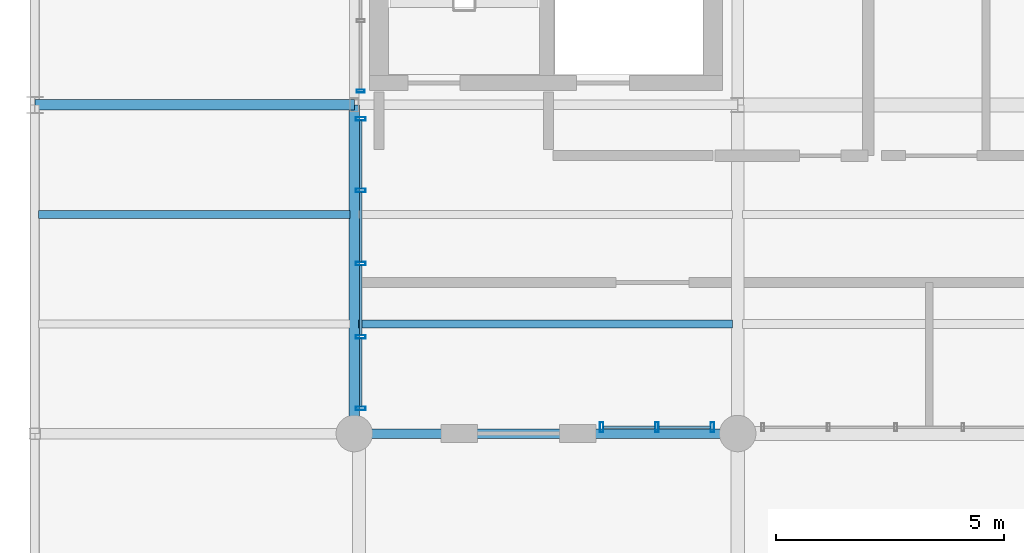
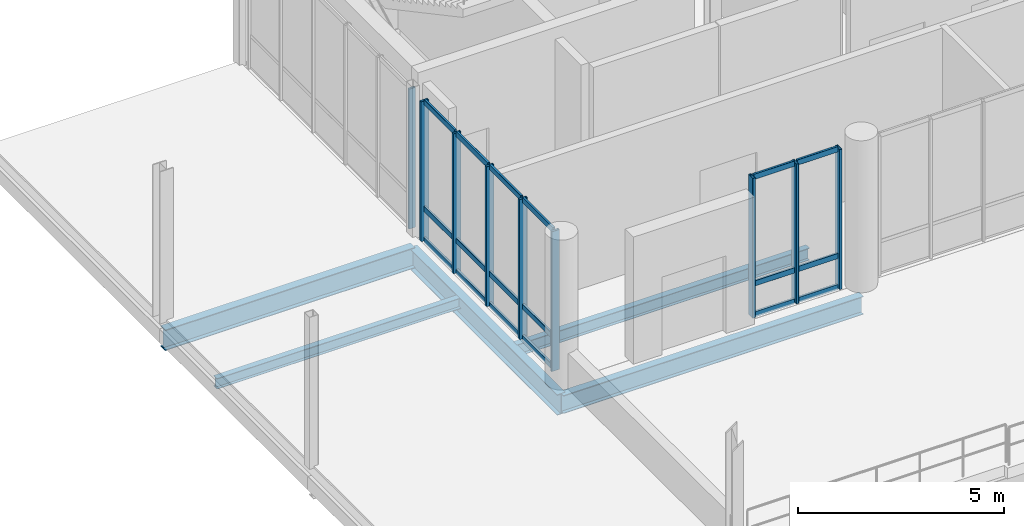
# One storey, part 8 of 68: 27 members, 5 beams, 3 elements without a shape of their own.
"""IFC4 building model written with IfcOpenShell, lengths in metres."""

from ifc_helpers import new_model, si_unit, direction, frame, origin_with_axes, origin_2d_with_axis, place, context, subcontext, project, spatial, hollow_rectangle, i_section, extrude, material, material_profile, profile_set, type_object, element, aggregate, save


model = new_model("IFC4")

# Units and contexts
model_context = context("Model", 3, precision=1e-05, world=origin_with_axes(), true_north=direction((0.0, 1.0)))
body_context = subcontext(model_context, "Body", "Model", "MODEL_VIEW")
ifc_project = project(units=[si_unit("LENGTHUNIT", "METRE"), si_unit("AREAUNIT", "SQUARE_METRE"), si_unit("VOLUMEUNIT", "CUBIC_METRE"), si_unit("PLANEANGLEUNIT", "RADIAN"), si_unit("MASSUNIT", "GRAM", prefix="KILO"), si_unit("THERMODYNAMICTEMPERATUREUNIT", "KELVIN")], contexts=[model_context])

# Site, building, storey
site_placement = place(None, origin_with_axes())
site = spatial("IfcSite", under=ifc_project, at=site_placement, CompositionType="ELEMENT")
building_placement = place(site_placement, origin_with_axes())
building = spatial("IfcBuilding", under=site, at=building_placement, Name="Montbau Bow Law Courts", CompositionType="ELEMENT")
storey_placement = place(building_placement, frame((0.0, 0.0, 20.4), z_axis=(0.0, 0.0, 1.0), x_axis=(1.0, 0.0, 0.0)))
storey = spatial("IfcBuildingStorey", under=building, at=storey_placement, Name="L04", CompositionType="ELEMENT", Elevation=20.4)

# Beams
ifc_material_1 = material(Name="Steel CSA G40.21 Grade 350W (350 MPa)", Category="steel")
ifc_material_profile_1 = material_profile(ifc_material_1, i_section(OverallWidth=0.229, OverallDepth=0.612, WebThickness=0.0119, FlangeThickness=0.0196, at=origin_2d_with_axis()), Name="W610X125", Category="Main", Priority=0)
ifc_profile_set_1 = profile_set([ifc_material_profile_1], Name="Steel CSA G40.21 Grade 350W (350 MPa)")
beam_type_1 = type_object("IfcBeamType", Name="B-FLR-05", PredefinedType="BEAM", material=ifc_profile_set_1)
beam_1_placement = place(None, frame((6.8, 46.2, 19.804), z_axis=(1.0, 0.0, 0.0), x_axis=(0.0, 1.0, 0.0)))
element("IfcBeam", 1, at=beam_1_placement, inside=storey, type_object=beam_type_1, Name="BM-L04-S0627:bm2_0630", PredefinedType="BEAM", context=body_context, shape_type="SweptSolid", body=[
    extrude(i_section(OverallWidth=0.229, OverallDepth=0.612, WebThickness=0.0119, FlangeThickness=0.0196, at=origin_2d_with_axis()), origin_with_axes(), (0.0, 0.0, 1.0), 7.0),
])
beam_2_placement = place(None, frame((13.8, 39.0, 19.774), z_axis=(0.0, 1.0, 0.0), x_axis=(-1.0, 0.0, 0.0)))
element("IfcBeam", 2, at=beam_2_placement, inside=storey, type_object=beam_type_1, Name="BM-L04-S0640:bm2_0643", PredefinedType="BEAM", context=body_context, shape_type="SweptSolid", body=[
    extrude(i_section(OverallWidth=0.229, OverallDepth=0.612, WebThickness=0.0119, FlangeThickness=0.0196, at=origin_2d_with_axis()), origin_with_axes(), (0.0, 0.0, 1.0), 7.2),
])
ifc_material_profile_2 = material_profile(ifc_material_1, i_section(OverallWidth=0.21, OverallDepth=0.537, WebThickness=0.0109, FlangeThickness=0.0174, at=origin_2d_with_axis()), Name="W530X101", Category="Main", Priority=0)
ifc_profile_set_2 = profile_set([ifc_material_profile_2], Name="Steel CSA G40.21 Grade 350W (350 MPa)")
beam_type_2 = type_object("IfcBeamType", Name="B-FLR-06", PredefinedType="BEAM", material=ifc_profile_set_2)
beam_3_placement = place(None, frame((13.8, 39.0, 19.811), z_axis=(1.0, 0.0, 0.0), x_axis=(0.0, 1.0, 0.0)))
element("IfcBeam", 3, at=beam_3_placement, inside=storey, type_object=beam_type_2, Name="BM-L04-S0623:bm2_0626", PredefinedType="BEAM", context=body_context, shape_type="SweptSolid", body=[
    extrude(i_section(OverallWidth=0.21, OverallDepth=0.537, WebThickness=0.0109, FlangeThickness=0.0174, at=origin_2d_with_axis()), origin_with_axes(), (0.0, 0.0, 1.0), 8.4),
])
ifc_material_profile_3 = material_profile(ifc_material_1, i_section(OverallWidth=0.172, OverallDepth=0.358, WebThickness=0.0079, FlangeThickness=0.0131, at=origin_2d_with_axis()), Name="W360X57", Category="Main", Priority=0)
ifc_profile_set_3 = profile_set([ifc_material_profile_3], Name="Steel CSA G40.21 Grade 350W (350 MPa)")
beam_type_3 = type_object("IfcBeamType", Name="B-JST-03", PredefinedType="JOIST", material=ifc_profile_set_3)
beam_4_placement = place(None, frame((13.891, 41.4, 19.901), z_axis=(1.0, 0.0, 0.0), x_axis=(0.0, 1.0, 0.0)))
element("IfcBeam", 4, at=beam_4_placement, inside=storey, type_object=beam_type_3, Name="JST-L04-S0306:jst2_0306", PredefinedType="JOIST", context=body_context, shape_type="SweptSolid", body=[
    extrude(i_section(OverallWidth=0.172, OverallDepth=0.358, WebThickness=0.0079, FlangeThickness=0.0131, at=origin_2d_with_axis()), origin_with_axes(), (0.0, 0.0, 1.0), 8.199),
])
ifc_material_profile_4 = material_profile(ifc_material_1, i_section(OverallWidth=0.166, OverallDepth=0.313, WebThickness=0.0066, FlangeThickness=0.0112, at=origin_2d_with_axis()), Name="W310X45", Category="Main", Priority=0)
ifc_profile_set_4 = profile_set([ifc_material_profile_4], Name="Steel CSA G40.21 Grade 350W (350 MPa)")
beam_type_4 = type_object("IfcBeamType", Name="B-JST-04", PredefinedType="JOIST", material=ifc_profile_set_4)
beam_5_placement = place(None, frame((6.88, 43.8, 19.923), z_axis=(1.0, 0.0, 0.0), x_axis=(0.0, 1.0, 0.0)))
element("IfcBeam", 5, at=beam_5_placement, inside=storey, type_object=beam_type_4, Name="JST-L04-S0303:jst2_0303", PredefinedType="JOIST", context=body_context, shape_type="SweptSolid", body=[
    extrude(i_section(OverallWidth=0.166, OverallDepth=0.313, WebThickness=0.0066, FlangeThickness=0.0112, at=origin_2d_with_axis()), origin_with_axes(), (0.0, 0.0, 1.0), 6.83),
])

# Curtain wall, members
ifc_material_2 = material(Name="Thermally Broken Extruded Aluminium AA 6063-T6", Category="aluminium")
curtain_wall_type = type_object("IfcCurtainWallType", Name="CW-NCK-01", PredefinedType="NOTDEFINED", material=ifc_material_2)
curtain_wall_1_placement = place(None, frame((19.18, 39.14, 20.4), z_axis=(0.0, 0.0, 1.0), x_axis=(1.0, 0.0, 0.0)))
curtain_wall_1 = element("IfcCurtainWall", 6, at=curtain_wall_1_placement, inside=storey, type_object=curtain_wall_type, Name="CW-L04-066:cw_0066", PredefinedType="NOTDEFINED")
ifc_material_profile_5 = material_profile(ifc_material_2, hollow_rectangle(XDim=0.075, YDim=0.22, WallThickness=0.005, InnerFilletRadius=0.01, OuterFilletRadius=0.005, at=origin_2d_with_axis()), Name="CWM-220X75", Category="Main", Priority=0)
ifc_profile_set_5 = profile_set([ifc_material_profile_5], Name="Thermally Broken Extruded Aluminium AA 6063-T6")
member_type_1 = type_object("IfcMemberType", Name="M-MUL-01", PredefinedType="MULLION", material=ifc_profile_set_5)
member_1_placement = place(None, frame((19.217, 39.14, 20.4), z_axis=(0.0, 0.0, 1.0), x_axis=(1.0, 0.0, 0.0)))
member_1 = element("IfcMember", 7, at=member_1_placement, type_object=member_type_1, Name="CW-L04-066-M01:cw_0066_M01", PredefinedType="MULLION", context=body_context, shape_type="SweptSolid", body=[
    extrude(hollow_rectangle(XDim=0.075, YDim=0.22, WallThickness=0.005, InnerFilletRadius=0.01, OuterFilletRadius=0.005, at=origin_2d_with_axis()), origin_with_axes(), (0.0, 0.0, 1.0), 4.14),
])
member_2_placement = place(None, frame((20.432, 39.14, 20.4), z_axis=(0.0, 0.0, 1.0), x_axis=(1.0, 0.0, 0.0)))
member_2 = element("IfcMember", 8, at=member_2_placement, type_object=member_type_1, Name="CW-L04-066-M02:cw_0066_M02", PredefinedType="MULLION", context=body_context, shape_type="SweptSolid", body=[
    extrude(hollow_rectangle(XDim=0.075, YDim=0.22, WallThickness=0.005, InnerFilletRadius=0.01, OuterFilletRadius=0.005, at=origin_2d_with_axis()), origin_with_axes(), (0.0, 0.0, 1.0), 4.14),
])
member_3_placement = place(None, frame((21.647, 39.14, 20.4), z_axis=(0.0, 0.0, 1.0), x_axis=(1.0, 0.0, 0.0)))
member_3 = element("IfcMember", 9, at=member_3_placement, type_object=member_type_1, Name="CW-L04-066-M03:cw_0066_M03", PredefinedType="MULLION", context=body_context, shape_type="SweptSolid", body=[
    extrude(hollow_rectangle(XDim=0.075, YDim=0.22, WallThickness=0.005, InnerFilletRadius=0.01, OuterFilletRadius=0.005, at=origin_2d_with_axis()), origin_with_axes(), (0.0, 0.0, 1.0), 4.14),
])

curtain_wall_2_placement = place(None, frame((13.94, 39.515, 20.4), z_axis=(0.0, 0.0, 1.0), x_axis=(1.0, 0.0, 0.0)))
curtain_wall_2 = element("IfcCurtainWall", 10, at=curtain_wall_2_placement, inside=storey, type_object=curtain_wall_type, Name="CW-L04-072:cw_0072", PredefinedType="NOTDEFINED")
member_4_placement = place(None, frame((13.94, 39.552, 20.4), z_axis=(0.0, 0.0, 1.0), x_axis=(0.0, 1.0, 0.0)))
member_4 = element("IfcMember", 11, at=member_4_placement, type_object=member_type_1, Name="CW-L04-072-M01:cw_0072_M01", PredefinedType="MULLION", context=body_context, shape_type="SweptSolid", body=[
    extrude(hollow_rectangle(XDim=0.075, YDim=0.22, WallThickness=0.005, InnerFilletRadius=0.01, OuterFilletRadius=0.005, at=origin_2d_with_axis()), origin_with_axes(), (0.0, 0.0, 1.0), 4.14),
])
member_5_placement = place(None, frame((13.94, 41.119, 20.4), z_axis=(0.0, 0.0, 1.0), x_axis=(0.0, 1.0, 0.0)))
member_5 = element("IfcMember", 12, at=member_5_placement, type_object=member_type_1, Name="CW-L04-072-M02:cw_0072_M02", PredefinedType="MULLION", context=body_context, shape_type="SweptSolid", body=[
    extrude(hollow_rectangle(XDim=0.075, YDim=0.22, WallThickness=0.005, InnerFilletRadius=0.01, OuterFilletRadius=0.005, at=origin_2d_with_axis()), origin_with_axes(), (0.0, 0.0, 1.0), 4.14),
])
member_6_placement = place(None, frame((13.94, 42.724, 20.4), z_axis=(0.0, 0.0, 1.0), x_axis=(0.0, 1.0, 0.0)))
member_6 = element("IfcMember", 13, at=member_6_placement, type_object=member_type_1, Name="CW-L04-072-M03:cw_0072_M03", PredefinedType="MULLION", context=body_context, shape_type="SweptSolid", body=[
    extrude(hollow_rectangle(XDim=0.075, YDim=0.22, WallThickness=0.005, InnerFilletRadius=0.01, OuterFilletRadius=0.005, at=origin_2d_with_axis()), origin_with_axes(), (0.0, 0.0, 1.0), 4.14),
])
member_7_placement = place(None, frame((13.94, 44.328, 20.4), z_axis=(0.0, 0.0, 1.0), x_axis=(0.0, 1.0, 0.0)))
member_7 = element("IfcMember", 14, at=member_7_placement, type_object=member_type_1, Name="CW-L04-072-M04:cw_0072_M04", PredefinedType="MULLION", context=body_context, shape_type="SweptSolid", body=[
    extrude(hollow_rectangle(XDim=0.075, YDim=0.22, WallThickness=0.005, InnerFilletRadius=0.01, OuterFilletRadius=0.005, at=origin_2d_with_axis()), origin_with_axes(), (0.0, 0.0, 1.0), 4.14),
])
member_8_placement = place(None, frame((13.94, 45.895, 20.4), z_axis=(0.0, 0.0, 1.0), x_axis=(0.0, 1.0, 0.0)))
member_8 = element("IfcMember", 15, at=member_8_placement, type_object=member_type_1, Name="CW-L04-072-M05:cw_0072_M05", PredefinedType="MULLION", context=body_context, shape_type="SweptSolid", body=[
    extrude(hollow_rectangle(XDim=0.075, YDim=0.22, WallThickness=0.005, InnerFilletRadius=0.01, OuterFilletRadius=0.005, at=origin_2d_with_axis()), origin_with_axes(), (0.0, 0.0, 1.0), 4.14),
])

# Curtain wall, member
curtain_wall_3_placement = place(None, frame((13.94, 46.468, 20.4), z_axis=(0.0, 0.0, 1.0), x_axis=(1.0, 0.0, 0.0)))
curtain_wall_3 = element("IfcCurtainWall", 16, at=curtain_wall_3_placement, inside=storey, type_object=curtain_wall_type, Name="CW-L04-073:cw_0073", PredefinedType="NOTDEFINED")
ifc_material_profile_6 = material_profile(ifc_material_2, hollow_rectangle(XDim=0.065, YDim=0.18, WallThickness=0.005, InnerFilletRadius=0.01, OuterFilletRadius=0.005, at=origin_2d_with_axis()), Name="CWM-180X65", Category="Main", Priority=0)
ifc_profile_set_6 = profile_set([ifc_material_profile_6], Name="Thermally Broken Extruded Aluminium AA 6063-T6")
member_type_2 = type_object("IfcMemberType", Name="M-MUL-02", PredefinedType="MULLION", material=ifc_profile_set_6)
member_9_placement = place(None, frame((13.94, 46.501, 20.4), z_axis=(0.0, 0.0, 1.0), x_axis=(0.0, 1.0, 0.0)))
member_9 = element("IfcMember", 17, at=member_9_placement, type_object=member_type_2, Name="CW-L04-073-M01:cw_0073_M01", PredefinedType="MULLION", context=body_context, shape_type="SweptSolid", body=[
    extrude(hollow_rectangle(XDim=0.065, YDim=0.18, WallThickness=0.005, InnerFilletRadius=0.01, OuterFilletRadius=0.005, at=origin_2d_with_axis()), origin_with_axes(), (0.0, 0.0, 1.0), 4.14),
])
aggregate(curtain_wall_3, [member_9])

# Member
ifc_material_profile_7 = material_profile(ifc_material_2, hollow_rectangle(XDim=0.06, YDim=0.16, WallThickness=0.004, InnerFilletRadius=0.008, OuterFilletRadius=0.004, at=origin_2d_with_axis()), Name="CWT-160X60", Category="Main", Priority=0)
ifc_profile_set_7 = profile_set([ifc_material_profile_7], Name="Thermally Broken Extruded Aluminium AA 6063-T6")
member_type_3 = type_object("IfcMemberType", Name="M-TRN-01", PredefinedType="USERDEFINED", material=ifc_profile_set_7)
member_10_placement = place(None, frame((19.256, 39.14, 20.43), z_axis=(1.0, 0.0, 0.0), x_axis=(0.0, 1.0, 0.0)))
member_10 = element("IfcMember", 18, at=member_10_placement, type_object=member_type_3, Name="CW-L04-066-T01-1:cw_0066_T01_1", ObjectType="TRANSOM", PredefinedType="USERDEFINED", context=body_context, shape_type="SweptSolid", body=[
    extrude(hollow_rectangle(XDim=0.06, YDim=0.16, WallThickness=0.004, InnerFilletRadius=0.008, OuterFilletRadius=0.004, at=origin_2d_with_axis()), origin_with_axes(), (0.0, 0.0, 1.0), 1.136),
])

member_11_placement = place(None, frame((19.256, 39.14, 21.35), z_axis=(1.0, 0.0, 0.0), x_axis=(0.0, 1.0, 0.0)))
member_11 = element("IfcMember", 19, at=member_11_placement, type_object=member_type_3, Name="CW-L04-066-T01-2:cw_0066_T01_2", ObjectType="TRANSOM", PredefinedType="USERDEFINED", context=body_context, shape_type="SweptSolid", body=[
    extrude(hollow_rectangle(XDim=0.06, YDim=0.16, WallThickness=0.004, InnerFilletRadius=0.008, OuterFilletRadius=0.004, at=origin_2d_with_axis()), origin_with_axes(), (0.0, 0.0, 1.0), 1.136),
])

member_12_placement = place(None, frame((19.256, 39.14, 24.51), z_axis=(1.0, 0.0, 0.0), x_axis=(0.0, 1.0, 0.0)))
member_12 = element("IfcMember", 20, at=member_12_placement, type_object=member_type_3, Name="CW-L04-066-T01-3:cw_0066_T01_3", ObjectType="TRANSOM", PredefinedType="USERDEFINED", context=body_context, shape_type="SweptSolid", body=[
    extrude(hollow_rectangle(XDim=0.06, YDim=0.16, WallThickness=0.004, InnerFilletRadius=0.008, OuterFilletRadius=0.004, at=origin_2d_with_axis()), origin_with_axes(), (0.0, 0.0, 1.0), 1.136),
])

member_13_placement = place(None, frame((20.472, 39.14, 20.43), z_axis=(1.0, 0.0, 0.0), x_axis=(0.0, 1.0, 0.0)))
member_13 = element("IfcMember", 21, at=member_13_placement, type_object=member_type_3, Name="CW-L04-066-T02-1:cw_0066_T02_1", ObjectType="TRANSOM", PredefinedType="USERDEFINED", context=body_context, shape_type="SweptSolid", body=[
    extrude(hollow_rectangle(XDim=0.06, YDim=0.16, WallThickness=0.004, InnerFilletRadius=0.008, OuterFilletRadius=0.004, at=origin_2d_with_axis()), origin_with_axes(), (0.0, 0.0, 1.0), 1.136),
])

member_14_placement = place(None, frame((20.472, 39.14, 21.35), z_axis=(1.0, 0.0, 0.0), x_axis=(0.0, 1.0, 0.0)))
member_14 = element("IfcMember", 22, at=member_14_placement, type_object=member_type_3, Name="CW-L04-066-T02-2:cw_0066_T02_2", ObjectType="TRANSOM", PredefinedType="USERDEFINED", context=body_context, shape_type="SweptSolid", body=[
    extrude(hollow_rectangle(XDim=0.06, YDim=0.16, WallThickness=0.004, InnerFilletRadius=0.008, OuterFilletRadius=0.004, at=origin_2d_with_axis()), origin_with_axes(), (0.0, 0.0, 1.0), 1.136),
])

member_15_placement = place(None, frame((20.472, 39.14, 24.51), z_axis=(1.0, 0.0, 0.0), x_axis=(0.0, 1.0, 0.0)))
member_15 = element("IfcMember", 23, at=member_15_placement, type_object=member_type_3, Name="CW-L04-066-T02-3:cw_0066_T02_3", ObjectType="TRANSOM", PredefinedType="USERDEFINED", context=body_context, shape_type="SweptSolid", body=[
    extrude(hollow_rectangle(XDim=0.06, YDim=0.16, WallThickness=0.004, InnerFilletRadius=0.008, OuterFilletRadius=0.004, at=origin_2d_with_axis()), origin_with_axes(), (0.0, 0.0, 1.0), 1.136),
])

aggregate(curtain_wall_1, [member_1, member_2, member_3, member_10, member_11, member_12, member_13, member_14, member_15])

member_16_placement = place(None, frame((13.94, 39.591, 20.43), z_axis=(0.0, 1.0, 0.0), x_axis=(-1.0, 0.0, 0.0)))
member_16 = element("IfcMember", 24, at=member_16_placement, type_object=member_type_3, Name="CW-L04-072-T01-1:cw_0072_T01_1", ObjectType="TRANSOM", PredefinedType="USERDEFINED", context=body_context, shape_type="SweptSolid", body=[
    extrude(hollow_rectangle(XDim=0.06, YDim=0.16, WallThickness=0.004, InnerFilletRadius=0.008, OuterFilletRadius=0.004, at=origin_2d_with_axis()), origin_with_axes(), (0.0, 0.0, 1.0), 1.489),
])

member_17_placement = place(None, frame((13.94, 39.591, 21.35), z_axis=(0.0, 1.0, 0.0), x_axis=(-1.0, 0.0, 0.0)))
member_17 = element("IfcMember", 25, at=member_17_placement, type_object=member_type_3, Name="CW-L04-072-T01-2:cw_0072_T01_2", ObjectType="TRANSOM", PredefinedType="USERDEFINED", context=body_context, shape_type="SweptSolid", body=[
    extrude(hollow_rectangle(XDim=0.06, YDim=0.16, WallThickness=0.004, InnerFilletRadius=0.008, OuterFilletRadius=0.004, at=origin_2d_with_axis()), origin_with_axes(), (0.0, 0.0, 1.0), 1.489),
])

member_18_placement = place(None, frame((13.94, 39.591, 24.51), z_axis=(0.0, 1.0, 0.0), x_axis=(-1.0, 0.0, 0.0)))
member_18 = element("IfcMember", 26, at=member_18_placement, type_object=member_type_3, Name="CW-L04-072-T01-3:cw_0072_T01_3", ObjectType="TRANSOM", PredefinedType="USERDEFINED", context=body_context, shape_type="SweptSolid", body=[
    extrude(hollow_rectangle(XDim=0.06, YDim=0.16, WallThickness=0.004, InnerFilletRadius=0.008, OuterFilletRadius=0.004, at=origin_2d_with_axis()), origin_with_axes(), (0.0, 0.0, 1.0), 1.489),
])

member_19_placement = place(None, frame((13.94, 41.159, 20.43), z_axis=(0.0, 1.0, 0.0), x_axis=(-1.0, 0.0, 0.0)))
member_19 = element("IfcMember", 27, at=member_19_placement, type_object=member_type_3, Name="CW-L04-072-T02-1:cw_0072_T02_1", ObjectType="TRANSOM", PredefinedType="USERDEFINED", context=body_context, shape_type="SweptSolid", body=[
    extrude(hollow_rectangle(XDim=0.06, YDim=0.16, WallThickness=0.004, InnerFilletRadius=0.008, OuterFilletRadius=0.004, at=origin_2d_with_axis()), origin_with_axes(), (0.0, 0.0, 1.0), 1.526),
])

member_20_placement = place(None, frame((13.94, 41.159, 21.35), z_axis=(0.0, 1.0, 0.0), x_axis=(-1.0, 0.0, 0.0)))
member_20 = element("IfcMember", 28, at=member_20_placement, type_object=member_type_3, Name="CW-L04-072-T02-2:cw_0072_T02_2", ObjectType="TRANSOM", PredefinedType="USERDEFINED", context=body_context, shape_type="SweptSolid", body=[
    extrude(hollow_rectangle(XDim=0.06, YDim=0.16, WallThickness=0.004, InnerFilletRadius=0.008, OuterFilletRadius=0.004, at=origin_2d_with_axis()), origin_with_axes(), (0.0, 0.0, 1.0), 1.526),
])

member_21_placement = place(None, frame((13.94, 41.159, 24.51), z_axis=(0.0, 1.0, 0.0), x_axis=(-1.0, 0.0, 0.0)))
member_21 = element("IfcMember", 29, at=member_21_placement, type_object=member_type_3, Name="CW-L04-072-T02-3:cw_0072_T02_3", ObjectType="TRANSOM", PredefinedType="USERDEFINED", context=body_context, shape_type="SweptSolid", body=[
    extrude(hollow_rectangle(XDim=0.06, YDim=0.16, WallThickness=0.004, InnerFilletRadius=0.008, OuterFilletRadius=0.004, at=origin_2d_with_axis()), origin_with_axes(), (0.0, 0.0, 1.0), 1.526),
])

member_22_placement = place(None, frame((13.94, 42.763, 20.43), z_axis=(0.0, 1.0, 0.0), x_axis=(-1.0, 0.0, 0.0)))
member_22 = element("IfcMember", 30, at=member_22_placement, type_object=member_type_3, Name="CW-L04-072-T03-1:cw_0072_T03_1", ObjectType="TRANSOM", PredefinedType="USERDEFINED", context=body_context, shape_type="SweptSolid", body=[
    extrude(hollow_rectangle(XDim=0.06, YDim=0.16, WallThickness=0.004, InnerFilletRadius=0.008, OuterFilletRadius=0.004, at=origin_2d_with_axis()), origin_with_axes(), (0.0, 0.0, 1.0), 1.526),
])

member_23_placement = place(None, frame((13.94, 42.763, 21.35), z_axis=(0.0, 1.0, 0.0), x_axis=(-1.0, 0.0, 0.0)))
member_23 = element("IfcMember", 31, at=member_23_placement, type_object=member_type_3, Name="CW-L04-072-T03-2:cw_0072_T03_2", ObjectType="TRANSOM", PredefinedType="USERDEFINED", context=body_context, shape_type="SweptSolid", body=[
    extrude(hollow_rectangle(XDim=0.06, YDim=0.16, WallThickness=0.004, InnerFilletRadius=0.008, OuterFilletRadius=0.004, at=origin_2d_with_axis()), origin_with_axes(), (0.0, 0.0, 1.0), 1.526),
])

member_24_placement = place(None, frame((13.94, 42.763, 24.51), z_axis=(0.0, 1.0, 0.0), x_axis=(-1.0, 0.0, 0.0)))
member_24 = element("IfcMember", 32, at=member_24_placement, type_object=member_type_3, Name="CW-L04-072-T03-3:cw_0072_T03_3", ObjectType="TRANSOM", PredefinedType="USERDEFINED", context=body_context, shape_type="SweptSolid", body=[
    extrude(hollow_rectangle(XDim=0.06, YDim=0.16, WallThickness=0.004, InnerFilletRadius=0.008, OuterFilletRadius=0.004, at=origin_2d_with_axis()), origin_with_axes(), (0.0, 0.0, 1.0), 1.526),
])

member_25_placement = place(None, frame((13.94, 44.367, 20.43), z_axis=(0.0, 1.0, 0.0), x_axis=(-1.0, 0.0, 0.0)))
member_25 = element("IfcMember", 33, at=member_25_placement, type_object=member_type_3, Name="CW-L04-072-T04-1:cw_0072_T04_1", ObjectType="TRANSOM", PredefinedType="USERDEFINED", context=body_context, shape_type="SweptSolid", body=[
    extrude(hollow_rectangle(XDim=0.06, YDim=0.16, WallThickness=0.004, InnerFilletRadius=0.008, OuterFilletRadius=0.004, at=origin_2d_with_axis()), origin_with_axes(), (0.0, 0.0, 1.0), 1.489),
])

member_26_placement = place(None, frame((13.94, 44.367, 21.35), z_axis=(0.0, 1.0, 0.0), x_axis=(-1.0, 0.0, 0.0)))
member_26 = element("IfcMember", 34, at=member_26_placement, type_object=member_type_3, Name="CW-L04-072-T04-2:cw_0072_T04_2", ObjectType="TRANSOM", PredefinedType="USERDEFINED", context=body_context, shape_type="SweptSolid", body=[
    extrude(hollow_rectangle(XDim=0.06, YDim=0.16, WallThickness=0.004, InnerFilletRadius=0.008, OuterFilletRadius=0.004, at=origin_2d_with_axis()), origin_with_axes(), (0.0, 0.0, 1.0), 1.489),
])

member_27_placement = place(None, frame((13.94, 44.367, 24.51), z_axis=(0.0, 1.0, 0.0), x_axis=(-1.0, 0.0, 0.0)))
member_27 = element("IfcMember", 35, at=member_27_placement, type_object=member_type_3, Name="CW-L04-072-T04-3:cw_0072_T04_3", ObjectType="TRANSOM", PredefinedType="USERDEFINED", context=body_context, shape_type="SweptSolid", body=[
    extrude(hollow_rectangle(XDim=0.06, YDim=0.16, WallThickness=0.004, InnerFilletRadius=0.008, OuterFilletRadius=0.004, at=origin_2d_with_axis()), origin_with_axes(), (0.0, 0.0, 1.0), 1.489),
])

aggregate(curtain_wall_2, [member_4, member_5, member_6, member_7, member_8, member_16, member_17, member_18, member_19, member_20, member_21, member_22, member_23, member_24, member_25, member_26, member_27])

save(model, "model.ifc")
